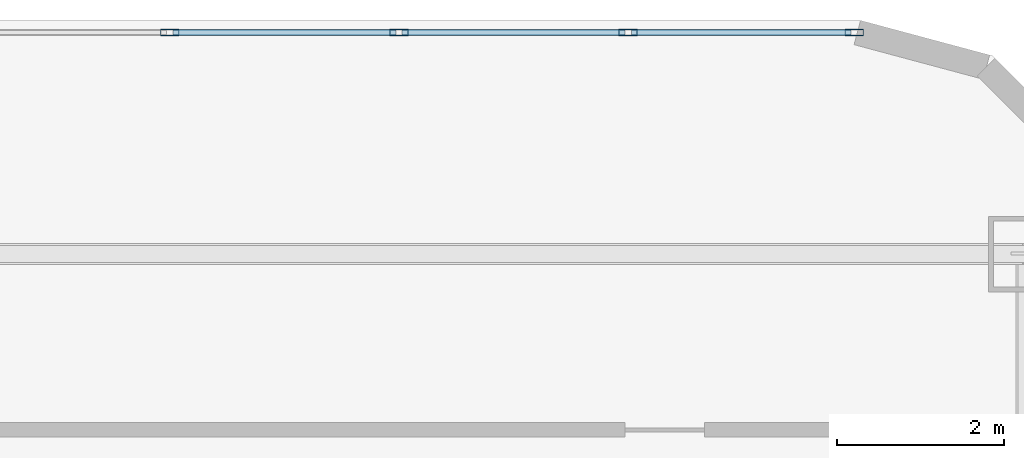
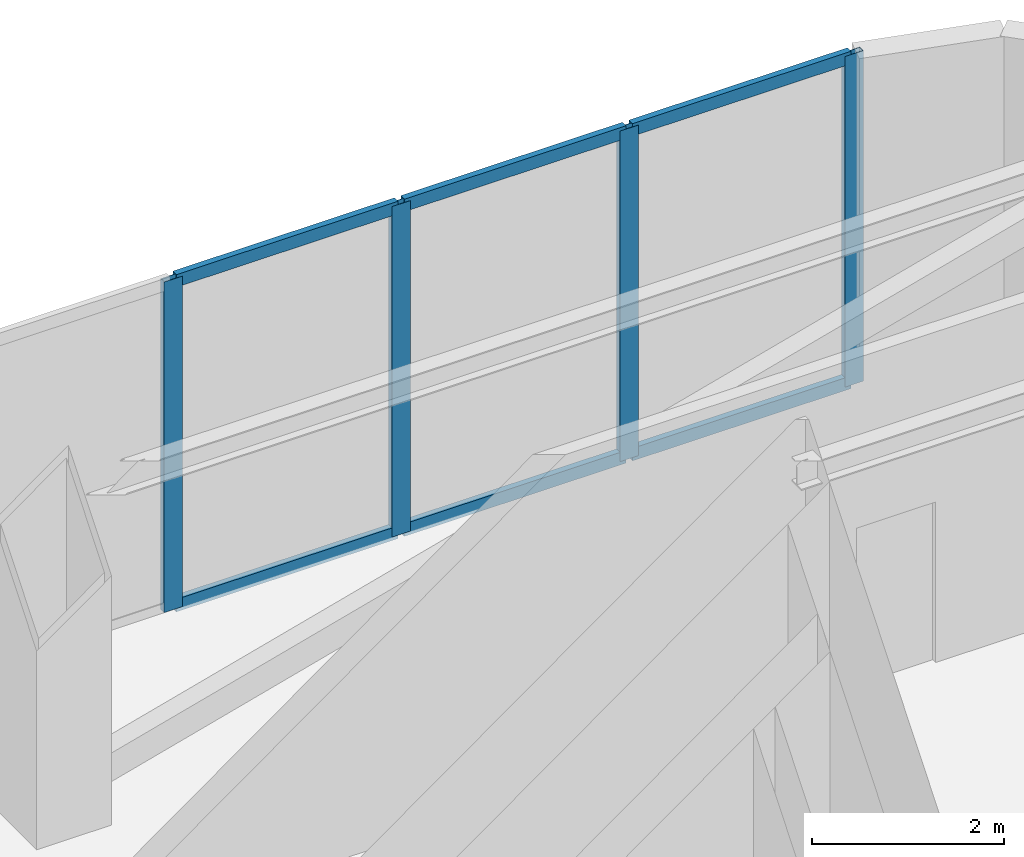
# One storey, part 7 of 14: 10 members, 1 element without a shape of its own.
"""IFC4 building model written with IfcOpenShell, lengths in metres."""

from ifc_helpers import new_model, si_unit, direction, frame, origin, origin_2d, place, context, subcontext, project, spatial, hollow_rectangle, extrude, material, layer, layer_set, material_profile, profile_set, type_object, element, aggregate, save


model = new_model("IFC4")

# Units and contexts
model_context = context("Model", 3, precision=1e-05, world=origin(), true_north=direction((0.0, 1.0)))
body_context = subcontext(model_context, "Body", "Model", "MODEL_VIEW")
ifc_project = project(units=[si_unit("LENGTHUNIT", "METRE"), si_unit("AREAUNIT", "SQUARE_METRE"), si_unit("VOLUMEUNIT", "CUBIC_METRE"), si_unit("PLANEANGLEUNIT", "RADIAN"), si_unit("MASSUNIT", "GRAM", prefix="KILO")], contexts=[model_context])

# Site, building, storey
site_placement = place(None, origin())
site = spatial("IfcSite", under=ifc_project, at=site_placement, CompositionType="ELEMENT")
building_placement = place(site_placement, origin())
building = spatial("IfcBuilding", under=site, at=building_placement, Name="Kiyonajd Concourse Tower", CompositionType="ELEMENT")
storey_placement = place(building_placement, frame((0.0, 0.0, 359.39990234375)))
storey = spatial("IfcBuildingStorey", under=building, at=storey_placement, Name="L90", CompositionType="ELEMENT", Elevation=359.39990234375)

# Curtain wall, members
ifc_material = material(Name="Thermally Broken Anodised Aluminium", Category="aluminium")
ifc_layer = layer(ifc_material, 0.179931640625)
ifc_layer_set = layer_set([ifc_layer], Name="Thermally Broken Anodised Aluminium")
curtain_wall_type = type_object("IfcCurtainWallType", Name="CW-SYS-06", PredefinedType="NOTDEFINED", material=ifc_layer_set)
curtain_wall_placement = place(storey_placement, origin())
curtain_wall = element("IfcCurtainWall", 1, at=curtain_wall_placement, inside=storey, type_object=curtain_wall_type, Name="L90 Unitised Curtain Wall CW6", PredefinedType="NOTDEFINED")
ifc_material_profile_1 = material_profile(ifc_material, hollow_rectangle(XDim=0.074951171875, YDim=0.219970703125, WallThickness=0.0048828125, at=origin_2d()), Name="MULL-75x220")
ifc_profile_set_1 = profile_set([ifc_material_profile_1], Name="Thermally Broken Anodised Aluminium")
member_type_1 = type_object("IfcMemberType", Name="MB-CW-MULL2", PredefinedType="MULLION", material=ifc_profile_set_1)
member_1_placement = place(storey_placement, frame((59.35986328125, 50.25, 0.0), z_axis=(0.0, 0.0, 1.0), x_axis=(0.0, 1.0, 0.0)))
member_1 = element("IfcMember", 2, at=member_1_placement, type_object=member_type_1, Name="CW6 mullion 2", PredefinedType="MULLION", context=body_context, shape_type="SweptSolid", body=[
    extrude(hollow_rectangle(XDim=0.074951171875, YDim=0.219970703125, WallThickness=0.0048828125, at=origin_2d()), origin(), (0.0, 0.0, 1.0), 4.2001953125),
])
member_2_placement = place(storey_placement, frame((62.10009765625, 50.25, 0.0), z_axis=(0.0, 0.0, 1.0), x_axis=(0.0, 1.0, 0.0)))
member_2 = element("IfcMember", 3, at=member_2_placement, type_object=member_type_1, Name="CW6 mullion 3", PredefinedType="MULLION", context=body_context, shape_type="SweptSolid", body=[
    extrude(hollow_rectangle(XDim=0.074951171875, YDim=0.219970703125, WallThickness=0.0048828125, at=origin_2d()), origin(), (0.0, 0.0, 1.0), 4.2001953125),
])
member_3_placement = place(storey_placement, frame((64.840087890625, 50.25, 0.0), z_axis=(0.0, 0.0, 1.0), x_axis=(0.0, 1.0, 0.0)))
member_3 = element("IfcMember", 4, at=member_3_placement, type_object=member_type_1, Name="CW6 mullion 4", PredefinedType="MULLION", context=body_context, shape_type="SweptSolid", body=[
    extrude(hollow_rectangle(XDim=0.074951171875, YDim=0.219970703125, WallThickness=0.0048828125, at=origin_2d()), origin(), (0.0, 0.0, 1.0), 4.2001953125),
])
member_4_placement = place(storey_placement, frame((67.542724609375, 50.25, 0.0), z_axis=(0.0, 0.0, 1.0), x_axis=(0.0, 1.0, 0.0)))
member_4 = element("IfcMember", 5, at=member_4_placement, type_object=member_type_1, Name="CW6 mullion 5", PredefinedType="MULLION", context=body_context, shape_type="SweptSolid", body=[
    extrude(hollow_rectangle(XDim=0.074951171875, YDim=0.219970703125, WallThickness=0.0048828125, at=origin_2d()), origin(), (0.0, 0.0, 1.0), 4.2001953125),
])
ifc_material_profile_2 = material_profile(ifc_material, hollow_rectangle(XDim=0.074951171875, YDim=0.159912109375, WallThickness=0.0048828125, at=origin_2d()), Name="TRAN-75x160")
ifc_profile_set_2 = profile_set([ifc_material_profile_2], Name="Thermally Broken Anodised Aluminium")
member_type_2 = type_object("IfcMemberType", Name="MB-CW-TRAN2", PredefinedType="USERDEFINED", material=ifc_profile_set_2)
member_5_placement = place(storey_placement, frame((59.3974609375, 50.25, 0.03759765625), z_axis=(1.0, 0.0, 0.0), x_axis=(0.0, 1.0, 0.0)))
member_5 = element("IfcMember", 6, at=member_5_placement, type_object=member_type_2, Name="CW6 transom 2.1", ObjectType="TRANSOM", PredefinedType="USERDEFINED", context=body_context, shape_type="SweptSolid", body=[
    extrude(hollow_rectangle(XDim=0.074951171875, YDim=0.159912109375, WallThickness=0.0048828125, at=origin_2d()), origin(), (0.0, 0.0, 1.0), 2.6650390625),
])
member_6_placement = place(storey_placement, frame((59.3974609375, 50.25, 4.16259765625), z_axis=(1.0, 0.0, 0.0), x_axis=(0.0, 1.0, 0.0)))
member_6 = element("IfcMember", 7, at=member_6_placement, type_object=member_type_2, Name="CW6 transom 2.2", ObjectType="TRANSOM", PredefinedType="USERDEFINED", context=body_context, shape_type="SweptSolid", body=[
    extrude(hollow_rectangle(XDim=0.074951171875, YDim=0.159912109375, WallThickness=0.0048828125, at=origin_2d()), origin(), (0.0, 0.0, 1.0), 2.6650390625),
])
member_7_placement = place(storey_placement, frame((62.137451171875, 50.25, 0.03759765625), z_axis=(1.0, 0.0, 0.0), x_axis=(0.0, 1.0, 0.0)))
member_7 = element("IfcMember", 8, at=member_7_placement, type_object=member_type_2, Name="CW6 transom 3.1", ObjectType="TRANSOM", PredefinedType="USERDEFINED", context=body_context, shape_type="SweptSolid", body=[
    extrude(hollow_rectangle(XDim=0.074951171875, YDim=0.159912109375, WallThickness=0.0048828125, at=origin_2d()), origin(), (0.0, 0.0, 1.0), 2.6650390625),
])
member_8_placement = place(storey_placement, frame((62.137451171875, 50.25, 4.16259765625), z_axis=(1.0, 0.0, 0.0), x_axis=(0.0, 1.0, 0.0)))
member_8 = element("IfcMember", 9, at=member_8_placement, type_object=member_type_2, Name="CW6 transom 3.2", ObjectType="TRANSOM", PredefinedType="USERDEFINED", context=body_context, shape_type="SweptSolid", body=[
    extrude(hollow_rectangle(XDim=0.074951171875, YDim=0.159912109375, WallThickness=0.0048828125, at=origin_2d()), origin(), (0.0, 0.0, 1.0), 2.6650390625),
])
member_9_placement = place(storey_placement, frame((64.877685546875, 50.25, 0.03759765625), z_axis=(1.0, 0.0, 0.0), x_axis=(0.0, 1.0, 0.0)))
member_9 = element("IfcMember", 10, at=member_9_placement, type_object=member_type_2, Name="CW6 transom 4.1", ObjectType="TRANSOM", PredefinedType="USERDEFINED", context=body_context, shape_type="SweptSolid", body=[
    extrude(hollow_rectangle(XDim=0.074951171875, YDim=0.159912109375, WallThickness=0.0048828125, at=origin_2d()), origin(), (0.0, 0.0, 1.0), 2.62744140625),
])
member_10_placement = place(storey_placement, frame((64.877685546875, 50.25, 4.16259765625), z_axis=(1.0, 0.0, 0.0), x_axis=(0.0, 1.0, 0.0)))
member_10 = element("IfcMember", 11, at=member_10_placement, type_object=member_type_2, Name="CW6 transom 4.2", ObjectType="TRANSOM", PredefinedType="USERDEFINED", context=body_context, shape_type="SweptSolid", body=[
    extrude(hollow_rectangle(XDim=0.074951171875, YDim=0.159912109375, WallThickness=0.0048828125, at=origin_2d()), origin(), (0.0, 0.0, 1.0), 2.62744140625),
])
aggregate(curtain_wall, [member_1, member_2, member_3, member_4, member_5, member_6, member_7, member_8, member_9, member_10])

save(model, "model.ifc")
